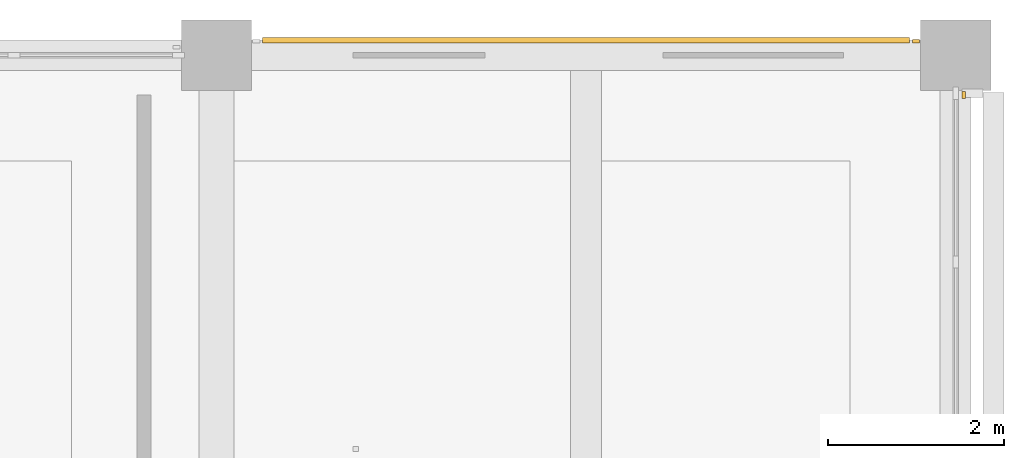
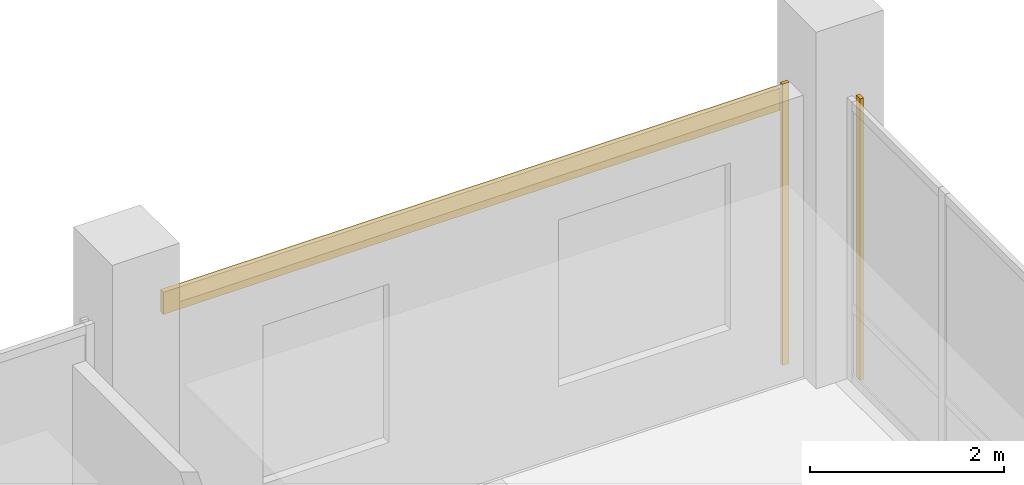
# One storey, part 34 of 34: 3 coverings.
"""IFC4 building model written with IfcOpenShell, lengths in metres."""

from ifc_helpers import new_model, si_unit, direction, frame, origin, origin_2d, place, context, subcontext, project, spatial, rectangle, extrude, material, layer, layer_set, type_object, element, save


model = new_model("IFC4")

# Units and contexts
model_context = context("Model", 3, precision=1e-05, world=origin(), true_north=direction((0.0, 1.0)))
body_context = subcontext(model_context, "Body", "Model", "MODEL_VIEW")
ifc_project = project(units=[si_unit("LENGTHUNIT", "METRE"), si_unit("AREAUNIT", "SQUARE_METRE"), si_unit("VOLUMEUNIT", "CUBIC_METRE"), si_unit("PLANEANGLEUNIT", "RADIAN"), si_unit("MASSUNIT", "GRAM", prefix="KILO")], contexts=[model_context])

# Site, building, storey
site_placement = place(None, origin())
site = spatial("IfcSite", under=ifc_project, at=site_placement, CompositionType="ELEMENT")
building_placement = place(site_placement, origin())
building = spatial("IfcBuilding", under=site, at=building_placement, Name="Telukmera Botanical Conservatory", CompositionType="ELEMENT")
storey_placement = place(building_placement, frame((0.0, 0.0, 37.5)))
storey = spatial("IfcBuildingStorey", under=building, at=storey_placement, Name="L08", CompositionType="ELEMENT", Elevation=37.5)

# Coverings
ifc_material_1 = material(Name="Granite-faced precast concrete C40/50", Category="masonry")
ifc_layer_1 = layer(ifc_material_1, 0.0400390625)
ifc_layer_set_1 = layer_set([ifc_layer_1], Name="Granite-faced precast concrete C40/50")
covering_type_1 = type_object("IfcCoveringType", Name="Granite Precast Column Pier Reveal Casing", PredefinedType="CLADDING", material=ifc_layer_set_1)
for number, where, z_axis, x_axis, name in (
    (1, (100.347900390625, 42.9599609375, 0.0), (0.0, 0.0, 1.0), (1.0, 0.0, 0.0), "Granite Pier Reveal V4:L08:N6 R"),
    (2, (100.889892578125, 42.347900390625, 0.0), (0.0, 0.0, 1.0), (0.0, 1.0, 0.0), "Granite Pier Reveal V4:L08:E4 R"),
):
    element("IfcCovering", number, at=place(storey_placement, frame(where, z_axis=z_axis, x_axis=x_axis)), inside=storey, type_object=covering_type_1, Name=name, PredefinedType="CLADDING", context=body_context, shape_type="SweptSolid", body=[
        extrude(rectangle(XDim=0.080078125, YDim=0.0400390625, at=origin_2d()), origin(), (0.0, 0.0, 1.0), 3.550048828125),
    ])
ifc_material_2 = material(Name="Terracotta-faced precast concrete C40/50", Category="masonry")
ifc_layer_2 = layer(ifc_material_2, 0.06005859375)
ifc_layer_set_2 = layer_set([ifc_layer_2], Name="Terracotta-faced precast concrete C40/50")
covering_type_2 = type_object("IfcCoveringType", Name="Polychrome Terracotta Facade Band Cladding", PredefinedType="CLADDING", material=ifc_layer_set_2)
covering_placement = place(storey_placement, frame((96.60009765625, 42.969970703125, 3.22998046875), z_axis=(0.0, 0.0, 1.0), x_axis=(1.0, 0.0, 0.0)))
element("IfcCovering", 3, at=covering_placement, inside=storey, type_object=covering_type_2, Name="Polychrome Terracotta Band V4:L08:N6", PredefinedType="CLADDING", context=body_context, shape_type="SweptSolid", body=[
    extrude(rectangle(XDim=7.35595703125, YDim=0.06005859375, at=origin_2d()), origin(), (0.0, 0.0, 1.0), 0.280029296875),
])

save(model, "model.ifc")
